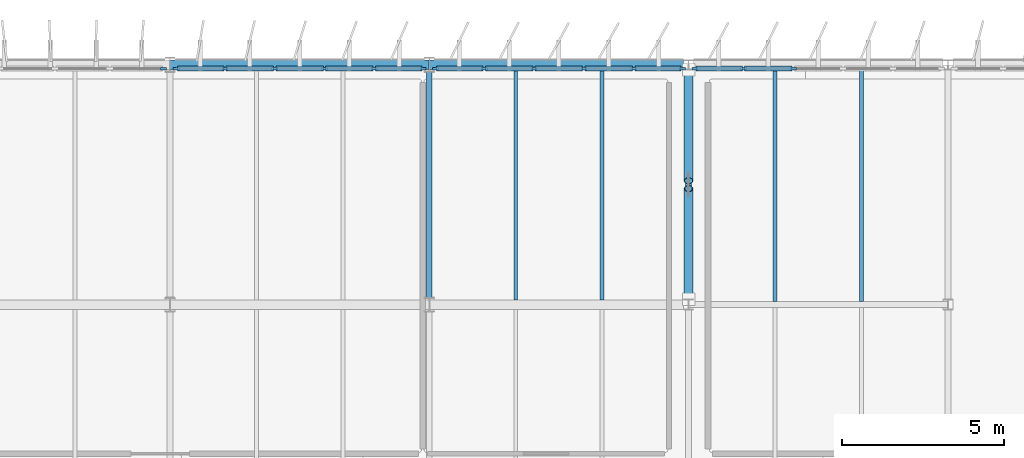
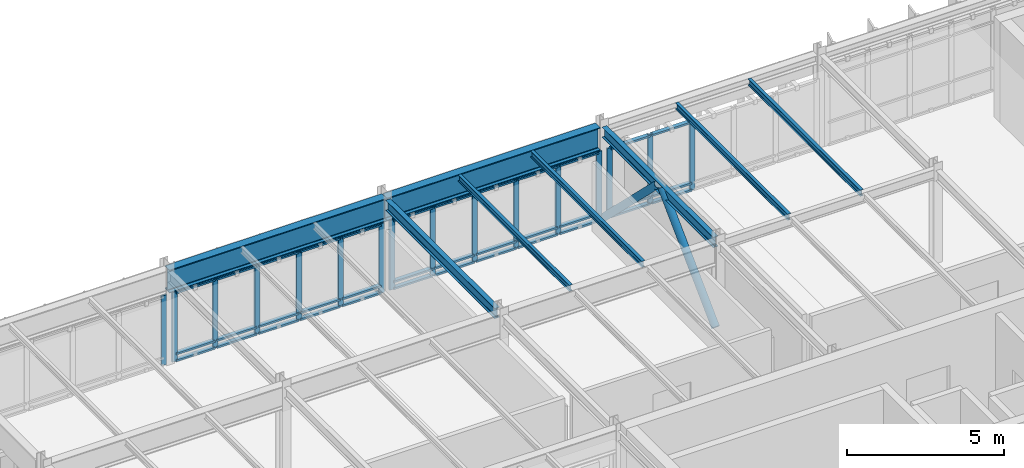
# One storey, part 6 of 20: 54 members, 8 beams, 4 elements without a shape of their own.
"""IFC4 building model written with IfcOpenShell, lengths in metres."""

from ifc_helpers import new_model, si_unit, direction, frame, origin, origin_2d, place, context, subcontext, project, spatial, rectangle, hollow_circle, i_section, extrude, material, layer, layer_set, material_profile, profile_set, type_object, element, aggregate, save


model = new_model("IFC4")

# Units and contexts
model_context = context("Model", 3, precision=1e-05, world=origin(), true_north=direction((0.0, 1.0)))
body_context = subcontext(model_context, "Body", "Model", "MODEL_VIEW")
ifc_project = project(units=[si_unit("LENGTHUNIT", "METRE"), si_unit("AREAUNIT", "SQUARE_METRE"), si_unit("VOLUMEUNIT", "CUBIC_METRE"), si_unit("PLANEANGLEUNIT", "RADIAN"), si_unit("MASSUNIT", "GRAM", prefix="KILO")], contexts=[model_context])

# Site, building, storey
site_placement = place(None, origin())
site = spatial("IfcSite", under=ifc_project, at=site_placement, CompositionType="ELEMENT")
building_placement = place(site_placement, origin())
building = spatial("IfcBuilding", under=site, at=building_placement, Name="Valkorina Park Police Headquarters", CompositionType="ELEMENT")
storey_placement = place(building_placement, frame((0.0, 0.0, 31.10009765625)))
storey = spatial("IfcBuildingStorey", under=building, at=storey_placement, Name="L08", CompositionType="ELEMENT", Elevation=31.10009765625)

# Beams
ifc_material_1 = material(Name="Steel S355", Category="steel")
ifc_material_profile_1 = material_profile(ifc_material_1, i_section(OverallWidth=0.300048828125, OverallDepth=0.89990234375, WebThickness=0.0185546875, FlangeThickness=0.034912109375, FilletRadius=0.030029296875, at=origin_2d()), Name="HEB 900")
ifc_profile_set_1 = profile_set([ifc_material_profile_1], Name="Steel S355")
beam_type_1 = type_object("IfcBeamType", Name="BM-S355-HEB900-EXT", PredefinedType="SPANDREL", material=ifc_profile_set_1)
beam_1_placement = place(storey_placement, frame((8.806884765625, 59.199951171875, 3.169921875), z_axis=(1.0, 0.0, 0.0), x_axis=(0.0, 1.0, 0.0)))
element("IfcBeam", 1, at=beam_1_placement, inside=storey, type_object=beam_type_1, Name="L08 Framing Beam 2812", PredefinedType="SPANDREL", context=body_context, shape_type="SweptSolid", body=[
    extrude(i_section(OverallWidth=0.300048828125, OverallDepth=0.89990234375, WebThickness=0.0185546875, FlangeThickness=0.034912109375, FilletRadius=0.030029296875, at=origin_2d()), origin(), (0.0, 0.0, 1.0), 7.986083984375),
])
beam_2_placement = place(storey_placement, frame((16.806884765625, 59.199951171875, 3.169921875), z_axis=(1.0, 0.0, 0.0), x_axis=(0.0, 1.0, 0.0)))
element("IfcBeam", 2, at=beam_2_placement, inside=storey, type_object=beam_type_1, Name="L08 Framing Beam 2813", PredefinedType="SPANDREL", context=body_context, shape_type="SweptSolid", body=[
    extrude(i_section(OverallWidth=0.300048828125, OverallDepth=0.89990234375, WebThickness=0.0185546875, FlangeThickness=0.034912109375, FilletRadius=0.030029296875, at=origin_2d()), origin(), (0.0, 0.0, 1.0), 7.843017578125),
])
ifc_material_profile_2 = material_profile(ifc_material_1, i_section(OverallWidth=0.1201171875, OverallDepth=0.239990234375, WebThickness=0.006103515625, FlangeThickness=0.009765625, FilletRadius=0.014892578125, at=origin_2d()), Name="IPE 240")
ifc_profile_set_2 = profile_set([ifc_material_profile_2], Name="Steel S355")
beam_type_2 = type_object("IfcBeamType", Name="BM-S355-IPE240-JST", PredefinedType="JOIST", material=ifc_profile_set_2)
for number, where, z_axis, x_axis, name in (
    (3, (19.466796875, 51.949951171875, 3.5), (0.0, 1.0, 0.0), (-1.0, 0.0, 0.0), "L08 Framing Beam 2841"),
    (4, (22.13330078125, 51.949951171875, 3.5), (0.0, 1.0, 0.0), (-1.0, 0.0, 0.0), "L08 Framing Beam 2842"),
):
    element("IfcBeam", number, at=place(storey_placement, frame(where, z_axis=z_axis, x_axis=x_axis)), inside=storey, type_object=beam_type_2, Name=name, PredefinedType="JOIST", context=body_context, shape_type="SweptSolid", body=[
        extrude(i_section(OverallWidth=0.1201171875, OverallDepth=0.239990234375, WebThickness=0.006103515625, FlangeThickness=0.009765625, FilletRadius=0.014892578125, at=origin_2d()), origin(), (0.0, 0.0, 1.0), 7.10009765625),
    ])
for number, where, z_axis, x_axis, name in (
    (5, (27.466796875, 51.889892578125, 3.5), (0.0, 1.0, 0.0), (-1.0, 0.0, 0.0), "L08 Framing Beam 2847"),
    (6, (30.13330078125, 51.889892578125, 3.5), (0.0, 1.0, 0.0), (-1.0, 0.0, 0.0), "L08 Framing Beam 2848"),
):
    element("IfcBeam", number, at=place(storey_placement, frame(where, z_axis=z_axis, x_axis=x_axis)), inside=storey, type_object=beam_type_2, Name=name, PredefinedType="JOIST", context=body_context, shape_type="SweptSolid", body=[
        extrude(i_section(OverallWidth=0.1201171875, OverallDepth=0.239990234375, WebThickness=0.006103515625, FlangeThickness=0.009765625, FilletRadius=0.014892578125, at=origin_2d()), origin(), (0.0, 0.0, 1.0), 7.16015625),
    ])
ifc_material_profile_3 = material_profile(ifc_material_1, i_section(OverallWidth=0.179931640625, OverallDepth=0.39990234375, WebThickness=0.008544921875, FlangeThickness=0.013427734375, FilletRadius=0.02099609375, at=origin_2d()), Name="IPE 400")
ifc_profile_set_3 = profile_set([ifc_material_profile_3], Name="Steel S355")
beam_type_3 = type_object("IfcBeamType", Name="BM-S355-IPE400-BM", PredefinedType="BEAM", material=ifc_profile_set_3)
beam_3_placement = place(storey_placement, frame((16.800048828125, 52.02490234375, 3.419921875), z_axis=(0.0, 1.0, 0.0), x_axis=(-1.0, 0.0, 0.0)))
element("IfcBeam", 7, at=beam_3_placement, inside=storey, type_object=beam_type_3, Name="L08 Framing Beam 2840", PredefinedType="BEAM", context=body_context, shape_type="SweptSolid", body=[
    extrude(i_section(OverallWidth=0.179931640625, OverallDepth=0.39990234375, WebThickness=0.008544921875, FlangeThickness=0.013427734375, FilletRadius=0.02099609375, at=origin_2d()), origin(), (0.0, 0.0, 1.0), 6.9501953125),
])
beam_4_placement = place(storey_placement, frame((24.800048828125, 51.965087890625, 3.419921875), z_axis=(0.0, 1.0, 0.0), x_axis=(-1.0, 0.0, 0.0)))
element("IfcBeam", 8, at=beam_4_placement, inside=storey, type_object=beam_type_3, Name="L08 Framing Beam 2846", PredefinedType="BEAM", context=body_context, shape_type="SweptSolid", body=[
    extrude(i_section(OverallWidth=0.179931640625, OverallDepth=0.39990234375, WebThickness=0.008544921875, FlangeThickness=0.013427734375, FilletRadius=0.02099609375, at=origin_2d()), origin(), (0.0, 0.0, 1.0), 7.0849609375),
])

# Curtain wall, member
ifc_material_2 = material(Name="Thermally broken aluminium AW-6060", Category="aluminium")
ifc_layer_1 = layer(ifc_material_2, 0.18994140625)
ifc_layer_set_1 = layer_set([ifc_layer_1], Name="Thermally broken aluminium AW-6060")
curtain_wall_type_1 = type_object("IfcCurtainWallType", Name="CW-V5-8480x2710", PredefinedType="NOTDEFINED", material=ifc_layer_set_1)
curtain_wall_1_placement = place(storey_placement, origin())
curtain_wall_1 = element("IfcCurtainWall", 9, at=curtain_wall_1_placement, inside=storey, type_object=curtain_wall_type_1, Name="L08 Unitised Curtain Wall 166", PredefinedType="NOTDEFINED")
ifc_material_profile_4 = material_profile(ifc_material_2, rectangle(XDim=0.070068359375, YDim=0.18994140625, at=origin_2d()), Name="CWM-02 70x190")
ifc_profile_set_4 = profile_set([ifc_material_profile_4], Name="Thermally broken aluminium AW-6060")
member_type_1 = type_object("IfcMemberType", Name="CWM-70x190", PredefinedType="MULLION", material=ifc_profile_set_4)
member_1_placement = place(storey_placement, frame((8.60498046875, 59.080078125, 0.0), z_axis=(0.0, 0.0, 1.0), x_axis=(0.0, 1.0, 0.0)))
member_1 = element("IfcMember", 10, at=member_1_placement, type_object=member_type_1, Name="CW-V5-848-271 mullion 6", PredefinedType="MULLION", context=body_context, shape_type="SweptSolid", body=[
    extrude(rectangle(XDim=0.070068359375, YDim=0.18994140625, at=origin_2d()), origin(), (0.0, 0.0, 1.0), 2.7099609375),
])
aggregate(curtain_wall_1, [member_1])

# Curtain wall, members
ifc_layer_2 = layer(ifc_material_2, 0.18994140625)
ifc_layer_set_2 = layer_set([ifc_layer_2], Name="Thermally broken aluminium AW-6060")
curtain_wall_type_2 = type_object("IfcCurtainWallType", Name="CW-V5-7680x2710", PredefinedType="NOTDEFINED", material=ifc_layer_set_2)
curtain_wall_2_placement = place(storey_placement, origin())
curtain_wall_2 = element("IfcCurtainWall", 11, at=curtain_wall_2_placement, inside=storey, type_object=curtain_wall_type_2, Name="L08 Unitised Curtain Wall 167", PredefinedType="NOTDEFINED")
member_2_placement = place(storey_placement, frame((8.9951171875, 59.080078125, 0.0), z_axis=(0.0, 0.0, 1.0), x_axis=(0.0, 1.0, 0.0)))
member_2 = element("IfcMember", 12, at=member_2_placement, type_object=member_type_1, Name="CW-V5-768-271 mullion 1", PredefinedType="MULLION", context=body_context, shape_type="SweptSolid", body=[
    extrude(rectangle(XDim=0.070068359375, YDim=0.18994140625, at=origin_2d()), origin(), (0.0, 0.0, 1.0), 2.7099609375),
])
member_3_placement = place(storey_placement, frame((10.49609375, 59.080078125, 0.0), z_axis=(0.0, 0.0, 1.0), x_axis=(0.0, 1.0, 0.0)))
member_3 = element("IfcMember", 13, at=member_3_placement, type_object=member_type_1, Name="CW-V5-768-271 mullion 2", PredefinedType="MULLION", context=body_context, shape_type="SweptSolid", body=[
    extrude(rectangle(XDim=0.070068359375, YDim=0.18994140625, at=origin_2d()), origin(), (0.0, 0.0, 1.0), 2.7099609375),
])
member_4_placement = place(storey_placement, frame((12.031982421875, 59.080078125, 0.0), z_axis=(0.0, 0.0, 1.0), x_axis=(0.0, 1.0, 0.0)))
member_4 = element("IfcMember", 14, at=member_4_placement, type_object=member_type_1, Name="CW-V5-768-271 mullion 3", PredefinedType="MULLION", context=body_context, shape_type="SweptSolid", body=[
    extrude(rectangle(XDim=0.070068359375, YDim=0.18994140625, at=origin_2d()), origin(), (0.0, 0.0, 1.0), 2.7099609375),
])
member_5_placement = place(storey_placement, frame((13.568115234375, 59.080078125, 0.0), z_axis=(0.0, 0.0, 1.0), x_axis=(0.0, 1.0, 0.0)))
member_5 = element("IfcMember", 15, at=member_5_placement, type_object=member_type_1, Name="CW-V5-768-271 mullion 4", PredefinedType="MULLION", context=body_context, shape_type="SweptSolid", body=[
    extrude(rectangle(XDim=0.070068359375, YDim=0.18994140625, at=origin_2d()), origin(), (0.0, 0.0, 1.0), 2.7099609375),
])
member_6_placement = place(storey_placement, frame((15.10400390625, 59.080078125, 0.0), z_axis=(0.0, 0.0, 1.0), x_axis=(0.0, 1.0, 0.0)))
member_6 = element("IfcMember", 16, at=member_6_placement, type_object=member_type_1, Name="CW-V5-768-271 mullion 5", PredefinedType="MULLION", context=body_context, shape_type="SweptSolid", body=[
    extrude(rectangle(XDim=0.070068359375, YDim=0.18994140625, at=origin_2d()), origin(), (0.0, 0.0, 1.0), 2.7099609375),
])
member_7_placement = place(storey_placement, frame((16.60498046875, 59.080078125, 0.0), z_axis=(0.0, 0.0, 1.0), x_axis=(0.0, 1.0, 0.0)))
member_7 = element("IfcMember", 17, at=member_7_placement, type_object=member_type_1, Name="CW-V5-768-271 mullion 6", PredefinedType="MULLION", context=body_context, shape_type="SweptSolid", body=[
    extrude(rectangle(XDim=0.070068359375, YDim=0.18994140625, at=origin_2d()), origin(), (0.0, 0.0, 1.0), 2.7099609375),
])

curtain_wall_3_placement = place(storey_placement, origin())
curtain_wall_3 = element("IfcCurtainWall", 18, at=curtain_wall_3_placement, inside=storey, type_object=curtain_wall_type_2, Name="L08 Unitised Curtain Wall 168", PredefinedType="NOTDEFINED")
member_8_placement = place(storey_placement, frame((16.9951171875, 59.080078125, 0.0), z_axis=(0.0, 0.0, 1.0), x_axis=(0.0, 1.0, 0.0)))
member_8 = element("IfcMember", 19, at=member_8_placement, type_object=member_type_1, Name="CW-V5-768-271 mullion 1", PredefinedType="MULLION", context=body_context, shape_type="SweptSolid", body=[
    extrude(rectangle(XDim=0.070068359375, YDim=0.18994140625, at=origin_2d()), origin(), (0.0, 0.0, 1.0), 2.7099609375),
])
member_9_placement = place(storey_placement, frame((18.49609375, 59.080078125, 0.0), z_axis=(0.0, 0.0, 1.0), x_axis=(0.0, 1.0, 0.0)))
member_9 = element("IfcMember", 20, at=member_9_placement, type_object=member_type_1, Name="CW-V5-768-271 mullion 2", PredefinedType="MULLION", context=body_context, shape_type="SweptSolid", body=[
    extrude(rectangle(XDim=0.070068359375, YDim=0.18994140625, at=origin_2d()), origin(), (0.0, 0.0, 1.0), 2.7099609375),
])
member_10_placement = place(storey_placement, frame((20.031982421875, 59.080078125, 0.0), z_axis=(0.0, 0.0, 1.0), x_axis=(0.0, 1.0, 0.0)))
member_10 = element("IfcMember", 21, at=member_10_placement, type_object=member_type_1, Name="CW-V5-768-271 mullion 3", PredefinedType="MULLION", context=body_context, shape_type="SweptSolid", body=[
    extrude(rectangle(XDim=0.070068359375, YDim=0.18994140625, at=origin_2d()), origin(), (0.0, 0.0, 1.0), 2.7099609375),
])
member_11_placement = place(storey_placement, frame((21.568115234375, 59.080078125, 0.0), z_axis=(0.0, 0.0, 1.0), x_axis=(0.0, 1.0, 0.0)))
member_11 = element("IfcMember", 22, at=member_11_placement, type_object=member_type_1, Name="CW-V5-768-271 mullion 4", PredefinedType="MULLION", context=body_context, shape_type="SweptSolid", body=[
    extrude(rectangle(XDim=0.070068359375, YDim=0.18994140625, at=origin_2d()), origin(), (0.0, 0.0, 1.0), 2.7099609375),
])
member_12_placement = place(storey_placement, frame((23.10400390625, 59.080078125, 0.0), z_axis=(0.0, 0.0, 1.0), x_axis=(0.0, 1.0, 0.0)))
member_12 = element("IfcMember", 23, at=member_12_placement, type_object=member_type_1, Name="CW-V5-768-271 mullion 5", PredefinedType="MULLION", context=body_context, shape_type="SweptSolid", body=[
    extrude(rectangle(XDim=0.070068359375, YDim=0.18994140625, at=origin_2d()), origin(), (0.0, 0.0, 1.0), 2.7099609375),
])
member_13_placement = place(storey_placement, frame((24.60498046875, 59.080078125, 0.0), z_axis=(0.0, 0.0, 1.0), x_axis=(0.0, 1.0, 0.0)))
member_13 = element("IfcMember", 24, at=member_13_placement, type_object=member_type_1, Name="CW-V5-768-271 mullion 6", PredefinedType="MULLION", context=body_context, shape_type="SweptSolid", body=[
    extrude(rectangle(XDim=0.070068359375, YDim=0.18994140625, at=origin_2d()), origin(), (0.0, 0.0, 1.0), 2.7099609375),
])

curtain_wall_4_placement = place(storey_placement, origin())
curtain_wall_4 = element("IfcCurtainWall", 25, at=curtain_wall_4_placement, inside=storey, type_object=curtain_wall_type_2, Name="L08 Unitised Curtain Wall 169", PredefinedType="NOTDEFINED")
member_14_placement = place(storey_placement, frame((24.9951171875, 59.080078125, 0.0), z_axis=(0.0, 0.0, 1.0), x_axis=(0.0, 1.0, 0.0)))
member_14 = element("IfcMember", 26, at=member_14_placement, type_object=member_type_1, Name="CW-V5-768-271 mullion 1", PredefinedType="MULLION", context=body_context, shape_type="SweptSolid", body=[
    extrude(rectangle(XDim=0.070068359375, YDim=0.18994140625, at=origin_2d()), origin(), (0.0, 0.0, 1.0), 2.7099609375),
])
member_15_placement = place(storey_placement, frame((26.49609375, 59.080078125, 0.0), z_axis=(0.0, 0.0, 1.0), x_axis=(0.0, 1.0, 0.0)))
member_15 = element("IfcMember", 27, at=member_15_placement, type_object=member_type_1, Name="CW-V5-768-271 mullion 2", PredefinedType="MULLION", context=body_context, shape_type="SweptSolid", body=[
    extrude(rectangle(XDim=0.070068359375, YDim=0.18994140625, at=origin_2d()), origin(), (0.0, 0.0, 1.0), 2.7099609375),
])
member_16_placement = place(storey_placement, frame((28.031982421875, 59.080078125, 0.0), z_axis=(0.0, 0.0, 1.0), x_axis=(0.0, 1.0, 0.0)))
member_16 = element("IfcMember", 28, at=member_16_placement, type_object=member_type_1, Name="CW-V5-768-271 mullion 3", PredefinedType="MULLION", context=body_context, shape_type="SweptSolid", body=[
    extrude(rectangle(XDim=0.070068359375, YDim=0.18994140625, at=origin_2d()), origin(), (0.0, 0.0, 1.0), 2.7099609375),
])

# Member
ifc_material_profile_5 = material_profile(ifc_material_2, rectangle(XDim=0.14990234375, YDim=0.070068359375, at=origin_2d()), Name="CWT-02 150x70")
ifc_profile_set_5 = profile_set([ifc_material_profile_5], Name="Thermally broken aluminium AW-6060")
member_type_2 = type_object("IfcMemberType", Name="CWT-150x70", PredefinedType="USERDEFINED", material=ifc_profile_set_5)
member_17_placement = place(storey_placement, frame((9.030029296875, 59.080078125, 0.034912109375), z_axis=(1.0, 0.0, 0.0), x_axis=(0.0, 1.0, 0.0)))
member_17 = element("IfcMember", 29, at=member_17_placement, type_object=member_type_2, Name="CW-V5-768-271 transom 1.1", ObjectType="TRANSOM", PredefinedType="USERDEFINED", context=body_context, shape_type="SweptSolid", body=[
    extrude(rectangle(XDim=0.14990234375, YDim=0.070068359375, at=origin_2d()), origin(), (0.0, 0.0, 1.0), 1.430908203125),
])

member_18_placement = place(storey_placement, frame((9.030029296875, 59.080078125, 0.2998046875), z_axis=(1.0, 0.0, 0.0), x_axis=(0.0, 1.0, 0.0)))
member_18 = element("IfcMember", 30, at=member_18_placement, type_object=member_type_2, Name="CW-V5-768-271 transom 1.2", ObjectType="TRANSOM", PredefinedType="USERDEFINED", context=body_context, shape_type="SweptSolid", body=[
    extrude(rectangle(XDim=0.14990234375, YDim=0.070068359375, at=origin_2d()), origin(), (0.0, 0.0, 1.0), 1.430908203125),
])

member_19_placement = place(storey_placement, frame((9.030029296875, 59.080078125, 2.6748046875), z_axis=(1.0, 0.0, 0.0), x_axis=(0.0, 1.0, 0.0)))
member_19 = element("IfcMember", 31, at=member_19_placement, type_object=member_type_2, Name="CW-V5-768-271 transom 1.3", ObjectType="TRANSOM", PredefinedType="USERDEFINED", context=body_context, shape_type="SweptSolid", body=[
    extrude(rectangle(XDim=0.14990234375, YDim=0.070068359375, at=origin_2d()), origin(), (0.0, 0.0, 1.0), 1.430908203125),
])

member_20_placement = place(storey_placement, frame((10.531005859375, 59.080078125, 0.034912109375), z_axis=(1.0, 0.0, 0.0), x_axis=(0.0, 1.0, 0.0)))
member_20 = element("IfcMember", 32, at=member_20_placement, type_object=member_type_2, Name="CW-V5-768-271 transom 2.1", ObjectType="TRANSOM", PredefinedType="USERDEFINED", context=body_context, shape_type="SweptSolid", body=[
    extrude(rectangle(XDim=0.14990234375, YDim=0.070068359375, at=origin_2d()), origin(), (0.0, 0.0, 1.0), 1.466064453125),
])

member_21_placement = place(storey_placement, frame((10.531005859375, 59.080078125, 0.2998046875), z_axis=(1.0, 0.0, 0.0), x_axis=(0.0, 1.0, 0.0)))
member_21 = element("IfcMember", 33, at=member_21_placement, type_object=member_type_2, Name="CW-V5-768-271 transom 2.2", ObjectType="TRANSOM", PredefinedType="USERDEFINED", context=body_context, shape_type="SweptSolid", body=[
    extrude(rectangle(XDim=0.14990234375, YDim=0.070068359375, at=origin_2d()), origin(), (0.0, 0.0, 1.0), 1.466064453125),
])

member_22_placement = place(storey_placement, frame((10.531005859375, 59.080078125, 2.6748046875), z_axis=(1.0, 0.0, 0.0), x_axis=(0.0, 1.0, 0.0)))
member_22 = element("IfcMember", 34, at=member_22_placement, type_object=member_type_2, Name="CW-V5-768-271 transom 2.3", ObjectType="TRANSOM", PredefinedType="USERDEFINED", context=body_context, shape_type="SweptSolid", body=[
    extrude(rectangle(XDim=0.14990234375, YDim=0.070068359375, at=origin_2d()), origin(), (0.0, 0.0, 1.0), 1.466064453125),
])

member_23_placement = place(storey_placement, frame((12.06689453125, 59.080078125, 0.034912109375), z_axis=(1.0, 0.0, 0.0), x_axis=(0.0, 1.0, 0.0)))
member_23 = element("IfcMember", 35, at=member_23_placement, type_object=member_type_2, Name="CW-V5-768-271 transom 3.1", ObjectType="TRANSOM", PredefinedType="USERDEFINED", context=body_context, shape_type="SweptSolid", body=[
    extrude(rectangle(XDim=0.14990234375, YDim=0.070068359375, at=origin_2d()), origin(), (0.0, 0.0, 1.0), 1.466064453125),
])

member_24_placement = place(storey_placement, frame((12.06689453125, 59.080078125, 0.2998046875), z_axis=(1.0, 0.0, 0.0), x_axis=(0.0, 1.0, 0.0)))
member_24 = element("IfcMember", 36, at=member_24_placement, type_object=member_type_2, Name="CW-V5-768-271 transom 3.2", ObjectType="TRANSOM", PredefinedType="USERDEFINED", context=body_context, shape_type="SweptSolid", body=[
    extrude(rectangle(XDim=0.14990234375, YDim=0.070068359375, at=origin_2d()), origin(), (0.0, 0.0, 1.0), 1.466064453125),
])

member_25_placement = place(storey_placement, frame((12.06689453125, 59.080078125, 2.6748046875), z_axis=(1.0, 0.0, 0.0), x_axis=(0.0, 1.0, 0.0)))
member_25 = element("IfcMember", 37, at=member_25_placement, type_object=member_type_2, Name="CW-V5-768-271 transom 3.3", ObjectType="TRANSOM", PredefinedType="USERDEFINED", context=body_context, shape_type="SweptSolid", body=[
    extrude(rectangle(XDim=0.14990234375, YDim=0.070068359375, at=origin_2d()), origin(), (0.0, 0.0, 1.0), 1.466064453125),
])

member_26_placement = place(storey_placement, frame((13.60302734375, 59.080078125, 0.034912109375), z_axis=(1.0, 0.0, 0.0), x_axis=(0.0, 1.0, 0.0)))
member_26 = element("IfcMember", 38, at=member_26_placement, type_object=member_type_2, Name="CW-V5-768-271 transom 4.1", ObjectType="TRANSOM", PredefinedType="USERDEFINED", context=body_context, shape_type="SweptSolid", body=[
    extrude(rectangle(XDim=0.14990234375, YDim=0.070068359375, at=origin_2d()), origin(), (0.0, 0.0, 1.0), 1.466064453125),
])

member_27_placement = place(storey_placement, frame((13.60302734375, 59.080078125, 0.2998046875), z_axis=(1.0, 0.0, 0.0), x_axis=(0.0, 1.0, 0.0)))
member_27 = element("IfcMember", 39, at=member_27_placement, type_object=member_type_2, Name="CW-V5-768-271 transom 4.2", ObjectType="TRANSOM", PredefinedType="USERDEFINED", context=body_context, shape_type="SweptSolid", body=[
    extrude(rectangle(XDim=0.14990234375, YDim=0.070068359375, at=origin_2d()), origin(), (0.0, 0.0, 1.0), 1.466064453125),
])

member_28_placement = place(storey_placement, frame((13.60302734375, 59.080078125, 2.6748046875), z_axis=(1.0, 0.0, 0.0), x_axis=(0.0, 1.0, 0.0)))
member_28 = element("IfcMember", 40, at=member_28_placement, type_object=member_type_2, Name="CW-V5-768-271 transom 4.3", ObjectType="TRANSOM", PredefinedType="USERDEFINED", context=body_context, shape_type="SweptSolid", body=[
    extrude(rectangle(XDim=0.14990234375, YDim=0.070068359375, at=origin_2d()), origin(), (0.0, 0.0, 1.0), 1.466064453125),
])

member_29_placement = place(storey_placement, frame((15.138916015625, 59.080078125, 0.034912109375), z_axis=(1.0, 0.0, 0.0), x_axis=(0.0, 1.0, 0.0)))
member_29 = element("IfcMember", 41, at=member_29_placement, type_object=member_type_2, Name="CW-V5-768-271 transom 5.1", ObjectType="TRANSOM", PredefinedType="USERDEFINED", context=body_context, shape_type="SweptSolid", body=[
    extrude(rectangle(XDim=0.14990234375, YDim=0.070068359375, at=origin_2d()), origin(), (0.0, 0.0, 1.0), 1.43115234375),
])

member_30_placement = place(storey_placement, frame((15.138916015625, 59.080078125, 0.2998046875), z_axis=(1.0, 0.0, 0.0), x_axis=(0.0, 1.0, 0.0)))
member_30 = element("IfcMember", 42, at=member_30_placement, type_object=member_type_2, Name="CW-V5-768-271 transom 5.2", ObjectType="TRANSOM", PredefinedType="USERDEFINED", context=body_context, shape_type="SweptSolid", body=[
    extrude(rectangle(XDim=0.14990234375, YDim=0.070068359375, at=origin_2d()), origin(), (0.0, 0.0, 1.0), 1.43115234375),
])

member_31_placement = place(storey_placement, frame((15.138916015625, 59.080078125, 2.6748046875), z_axis=(1.0, 0.0, 0.0), x_axis=(0.0, 1.0, 0.0)))
member_31 = element("IfcMember", 43, at=member_31_placement, type_object=member_type_2, Name="CW-V5-768-271 transom 5.3", ObjectType="TRANSOM", PredefinedType="USERDEFINED", context=body_context, shape_type="SweptSolid", body=[
    extrude(rectangle(XDim=0.14990234375, YDim=0.070068359375, at=origin_2d()), origin(), (0.0, 0.0, 1.0), 1.43115234375),
])

aggregate(curtain_wall_2, [member_2, member_3, member_4, member_5, member_6, member_7, member_17, member_18, member_19, member_20, member_21, member_22, member_23, member_24, member_25, member_26, member_27, member_28, member_29, member_30, member_31])

member_32_placement = place(storey_placement, frame((17.030029296875, 59.080078125, 0.034912109375), z_axis=(1.0, 0.0, 0.0), x_axis=(0.0, 1.0, 0.0)))
member_32 = element("IfcMember", 44, at=member_32_placement, type_object=member_type_2, Name="CW-V5-768-271 transom 1.1", ObjectType="TRANSOM", PredefinedType="USERDEFINED", context=body_context, shape_type="SweptSolid", body=[
    extrude(rectangle(XDim=0.14990234375, YDim=0.070068359375, at=origin_2d()), origin(), (0.0, 0.0, 1.0), 1.430908203125),
])

member_33_placement = place(storey_placement, frame((17.030029296875, 59.080078125, 0.2998046875), z_axis=(1.0, 0.0, 0.0), x_axis=(0.0, 1.0, 0.0)))
member_33 = element("IfcMember", 45, at=member_33_placement, type_object=member_type_2, Name="CW-V5-768-271 transom 1.2", ObjectType="TRANSOM", PredefinedType="USERDEFINED", context=body_context, shape_type="SweptSolid", body=[
    extrude(rectangle(XDim=0.14990234375, YDim=0.070068359375, at=origin_2d()), origin(), (0.0, 0.0, 1.0), 1.430908203125),
])

member_34_placement = place(storey_placement, frame((17.030029296875, 59.080078125, 2.6748046875), z_axis=(1.0, 0.0, 0.0), x_axis=(0.0, 1.0, 0.0)))
member_34 = element("IfcMember", 46, at=member_34_placement, type_object=member_type_2, Name="CW-V5-768-271 transom 1.3", ObjectType="TRANSOM", PredefinedType="USERDEFINED", context=body_context, shape_type="SweptSolid", body=[
    extrude(rectangle(XDim=0.14990234375, YDim=0.070068359375, at=origin_2d()), origin(), (0.0, 0.0, 1.0), 1.430908203125),
])

member_35_placement = place(storey_placement, frame((18.531005859375, 59.080078125, 0.034912109375), z_axis=(1.0, 0.0, 0.0), x_axis=(0.0, 1.0, 0.0)))
member_35 = element("IfcMember", 47, at=member_35_placement, type_object=member_type_2, Name="CW-V5-768-271 transom 2.1", ObjectType="TRANSOM", PredefinedType="USERDEFINED", context=body_context, shape_type="SweptSolid", body=[
    extrude(rectangle(XDim=0.14990234375, YDim=0.070068359375, at=origin_2d()), origin(), (0.0, 0.0, 1.0), 1.466064453125),
])

member_36_placement = place(storey_placement, frame((18.531005859375, 59.080078125, 0.2998046875), z_axis=(1.0, 0.0, 0.0), x_axis=(0.0, 1.0, 0.0)))
member_36 = element("IfcMember", 48, at=member_36_placement, type_object=member_type_2, Name="CW-V5-768-271 transom 2.2", ObjectType="TRANSOM", PredefinedType="USERDEFINED", context=body_context, shape_type="SweptSolid", body=[
    extrude(rectangle(XDim=0.14990234375, YDim=0.070068359375, at=origin_2d()), origin(), (0.0, 0.0, 1.0), 1.466064453125),
])

member_37_placement = place(storey_placement, frame((18.531005859375, 59.080078125, 2.6748046875), z_axis=(1.0, 0.0, 0.0), x_axis=(0.0, 1.0, 0.0)))
member_37 = element("IfcMember", 49, at=member_37_placement, type_object=member_type_2, Name="CW-V5-768-271 transom 2.3", ObjectType="TRANSOM", PredefinedType="USERDEFINED", context=body_context, shape_type="SweptSolid", body=[
    extrude(rectangle(XDim=0.14990234375, YDim=0.070068359375, at=origin_2d()), origin(), (0.0, 0.0, 1.0), 1.466064453125),
])

member_38_placement = place(storey_placement, frame((20.06689453125, 59.080078125, 0.034912109375), z_axis=(1.0, 0.0, 0.0), x_axis=(0.0, 1.0, 0.0)))
member_38 = element("IfcMember", 50, at=member_38_placement, type_object=member_type_2, Name="CW-V5-768-271 transom 3.1", ObjectType="TRANSOM", PredefinedType="USERDEFINED", context=body_context, shape_type="SweptSolid", body=[
    extrude(rectangle(XDim=0.14990234375, YDim=0.070068359375, at=origin_2d()), origin(), (0.0, 0.0, 1.0), 1.466064453125),
])

member_39_placement = place(storey_placement, frame((20.06689453125, 59.080078125, 0.2998046875), z_axis=(1.0, 0.0, 0.0), x_axis=(0.0, 1.0, 0.0)))
member_39 = element("IfcMember", 51, at=member_39_placement, type_object=member_type_2, Name="CW-V5-768-271 transom 3.2", ObjectType="TRANSOM", PredefinedType="USERDEFINED", context=body_context, shape_type="SweptSolid", body=[
    extrude(rectangle(XDim=0.14990234375, YDim=0.070068359375, at=origin_2d()), origin(), (0.0, 0.0, 1.0), 1.466064453125),
])

member_40_placement = place(storey_placement, frame((20.06689453125, 59.080078125, 2.6748046875), z_axis=(1.0, 0.0, 0.0), x_axis=(0.0, 1.0, 0.0)))
member_40 = element("IfcMember", 52, at=member_40_placement, type_object=member_type_2, Name="CW-V5-768-271 transom 3.3", ObjectType="TRANSOM", PredefinedType="USERDEFINED", context=body_context, shape_type="SweptSolid", body=[
    extrude(rectangle(XDim=0.14990234375, YDim=0.070068359375, at=origin_2d()), origin(), (0.0, 0.0, 1.0), 1.466064453125),
])

member_41_placement = place(storey_placement, frame((21.60302734375, 59.080078125, 0.034912109375), z_axis=(1.0, 0.0, 0.0), x_axis=(0.0, 1.0, 0.0)))
member_41 = element("IfcMember", 53, at=member_41_placement, type_object=member_type_2, Name="CW-V5-768-271 transom 4.1", ObjectType="TRANSOM", PredefinedType="USERDEFINED", context=body_context, shape_type="SweptSolid", body=[
    extrude(rectangle(XDim=0.14990234375, YDim=0.070068359375, at=origin_2d()), origin(), (0.0, 0.0, 1.0), 1.466064453125),
])

member_42_placement = place(storey_placement, frame((21.60302734375, 59.080078125, 0.2998046875), z_axis=(1.0, 0.0, 0.0), x_axis=(0.0, 1.0, 0.0)))
member_42 = element("IfcMember", 54, at=member_42_placement, type_object=member_type_2, Name="CW-V5-768-271 transom 4.2", ObjectType="TRANSOM", PredefinedType="USERDEFINED", context=body_context, shape_type="SweptSolid", body=[
    extrude(rectangle(XDim=0.14990234375, YDim=0.070068359375, at=origin_2d()), origin(), (0.0, 0.0, 1.0), 1.466064453125),
])

member_43_placement = place(storey_placement, frame((21.60302734375, 59.080078125, 2.6748046875), z_axis=(1.0, 0.0, 0.0), x_axis=(0.0, 1.0, 0.0)))
member_43 = element("IfcMember", 55, at=member_43_placement, type_object=member_type_2, Name="CW-V5-768-271 transom 4.3", ObjectType="TRANSOM", PredefinedType="USERDEFINED", context=body_context, shape_type="SweptSolid", body=[
    extrude(rectangle(XDim=0.14990234375, YDim=0.070068359375, at=origin_2d()), origin(), (0.0, 0.0, 1.0), 1.466064453125),
])

member_44_placement = place(storey_placement, frame((23.138916015625, 59.080078125, 0.034912109375), z_axis=(1.0, 0.0, 0.0), x_axis=(0.0, 1.0, 0.0)))
member_44 = element("IfcMember", 56, at=member_44_placement, type_object=member_type_2, Name="CW-V5-768-271 transom 5.1", ObjectType="TRANSOM", PredefinedType="USERDEFINED", context=body_context, shape_type="SweptSolid", body=[
    extrude(rectangle(XDim=0.14990234375, YDim=0.070068359375, at=origin_2d()), origin(), (0.0, 0.0, 1.0), 1.43115234375),
])

member_45_placement = place(storey_placement, frame((23.138916015625, 59.080078125, 0.2998046875), z_axis=(1.0, 0.0, 0.0), x_axis=(0.0, 1.0, 0.0)))
member_45 = element("IfcMember", 57, at=member_45_placement, type_object=member_type_2, Name="CW-V5-768-271 transom 5.2", ObjectType="TRANSOM", PredefinedType="USERDEFINED", context=body_context, shape_type="SweptSolid", body=[
    extrude(rectangle(XDim=0.14990234375, YDim=0.070068359375, at=origin_2d()), origin(), (0.0, 0.0, 1.0), 1.43115234375),
])

member_46_placement = place(storey_placement, frame((23.138916015625, 59.080078125, 2.6748046875), z_axis=(1.0, 0.0, 0.0), x_axis=(0.0, 1.0, 0.0)))
member_46 = element("IfcMember", 58, at=member_46_placement, type_object=member_type_2, Name="CW-V5-768-271 transom 5.3", ObjectType="TRANSOM", PredefinedType="USERDEFINED", context=body_context, shape_type="SweptSolid", body=[
    extrude(rectangle(XDim=0.14990234375, YDim=0.070068359375, at=origin_2d()), origin(), (0.0, 0.0, 1.0), 1.43115234375),
])

aggregate(curtain_wall_3, [member_8, member_9, member_10, member_11, member_12, member_13, member_32, member_33, member_34, member_35, member_36, member_37, member_38, member_39, member_40, member_41, member_42, member_43, member_44, member_45, member_46])

member_47_placement = place(storey_placement, frame((25.030029296875, 59.080078125, 0.034912109375), z_axis=(1.0, 0.0, 0.0), x_axis=(0.0, 1.0, 0.0)))
member_47 = element("IfcMember", 59, at=member_47_placement, type_object=member_type_2, Name="CW-V5-768-271 transom 1.1", ObjectType="TRANSOM", PredefinedType="USERDEFINED", context=body_context, shape_type="SweptSolid", body=[
    extrude(rectangle(XDim=0.14990234375, YDim=0.070068359375, at=origin_2d()), origin(), (0.0, 0.0, 1.0), 1.430908203125),
])

member_48_placement = place(storey_placement, frame((25.030029296875, 59.080078125, 0.2998046875), z_axis=(1.0, 0.0, 0.0), x_axis=(0.0, 1.0, 0.0)))
member_48 = element("IfcMember", 60, at=member_48_placement, type_object=member_type_2, Name="CW-V5-768-271 transom 1.2", ObjectType="TRANSOM", PredefinedType="USERDEFINED", context=body_context, shape_type="SweptSolid", body=[
    extrude(rectangle(XDim=0.14990234375, YDim=0.070068359375, at=origin_2d()), origin(), (0.0, 0.0, 1.0), 1.430908203125),
])

member_49_placement = place(storey_placement, frame((25.030029296875, 59.080078125, 2.6748046875), z_axis=(1.0, 0.0, 0.0), x_axis=(0.0, 1.0, 0.0)))
member_49 = element("IfcMember", 61, at=member_49_placement, type_object=member_type_2, Name="CW-V5-768-271 transom 1.3", ObjectType="TRANSOM", PredefinedType="USERDEFINED", context=body_context, shape_type="SweptSolid", body=[
    extrude(rectangle(XDim=0.14990234375, YDim=0.070068359375, at=origin_2d()), origin(), (0.0, 0.0, 1.0), 1.430908203125),
])

member_50_placement = place(storey_placement, frame((26.531005859375, 59.080078125, 0.034912109375), z_axis=(1.0, 0.0, 0.0), x_axis=(0.0, 1.0, 0.0)))
member_50 = element("IfcMember", 62, at=member_50_placement, type_object=member_type_2, Name="CW-V5-768-271 transom 2.1", ObjectType="TRANSOM", PredefinedType="USERDEFINED", context=body_context, shape_type="SweptSolid", body=[
    extrude(rectangle(XDim=0.14990234375, YDim=0.070068359375, at=origin_2d()), origin(), (0.0, 0.0, 1.0), 1.466064453125),
])

member_51_placement = place(storey_placement, frame((26.531005859375, 59.080078125, 0.2998046875), z_axis=(1.0, 0.0, 0.0), x_axis=(0.0, 1.0, 0.0)))
member_51 = element("IfcMember", 63, at=member_51_placement, type_object=member_type_2, Name="CW-V5-768-271 transom 2.2", ObjectType="TRANSOM", PredefinedType="USERDEFINED", context=body_context, shape_type="SweptSolid", body=[
    extrude(rectangle(XDim=0.14990234375, YDim=0.070068359375, at=origin_2d()), origin(), (0.0, 0.0, 1.0), 1.466064453125),
])

member_52_placement = place(storey_placement, frame((26.531005859375, 59.080078125, 2.6748046875), z_axis=(1.0, 0.0, 0.0), x_axis=(0.0, 1.0, 0.0)))
member_52 = element("IfcMember", 64, at=member_52_placement, type_object=member_type_2, Name="CW-V5-768-271 transom 2.3", ObjectType="TRANSOM", PredefinedType="USERDEFINED", context=body_context, shape_type="SweptSolid", body=[
    extrude(rectangle(XDim=0.14990234375, YDim=0.070068359375, at=origin_2d()), origin(), (0.0, 0.0, 1.0), 1.466064453125),
])

aggregate(curtain_wall_4, [member_14, member_15, member_16, member_47, member_48, member_49, member_50, member_51, member_52])

# Members
ifc_material_profile_6 = material_profile(ifc_material_1, hollow_circle(Radius=0.136474609375, WallThickness=0.012451171875, at=origin_2d()), Name="CHS 273x12.5")
ifc_profile_set_6 = profile_set([ifc_material_profile_6], Name="Steel S355")
member_type_3 = type_object("IfcMemberType", Name="MB-S355-CHS273-BRC", PredefinedType="BRACE", material=ifc_profile_set_6)
member_53_placement = place(storey_placement, frame((24.800048828125, 51.965087890625, 0.099853515625), z_axis=(0.0, 0.712791376311, 0.701376114404), x_axis=(-1.0, 0.0, 0.0)))
element("IfcMember", 65, at=member_53_placement, inside=storey, type_object=member_type_3, Name="L08 Concentric Chevron Brace 015", PredefinedType="BRACE", context=body_context, shape_type="SweptSolid", body=[
    extrude(hollow_circle(Radius=0.136474609375, WallThickness=0.012451171875, at=origin_2d()), origin(), (0.0, 0.0, 1.0), 4.790771484375),
])
member_54_placement = place(storey_placement, frame((24.800048828125, 59.050048828125, 0.099853515625), z_axis=(0.0, -0.714340425582, 0.699798368374), x_axis=(1.0, 0.0, 0.0)))
element("IfcMember", 66, at=member_54_placement, inside=storey, type_object=member_type_3, Name="L08 Concentric Chevron Brace 016", PredefinedType="BRACE", context=body_context, shape_type="SweptSolid", body=[
    extrude(hollow_circle(Radius=0.136474609375, WallThickness=0.012451171875, at=origin_2d()), origin(), (0.0, 0.0, 1.0), 4.801513671875),
])

save(model, "model.ifc")
